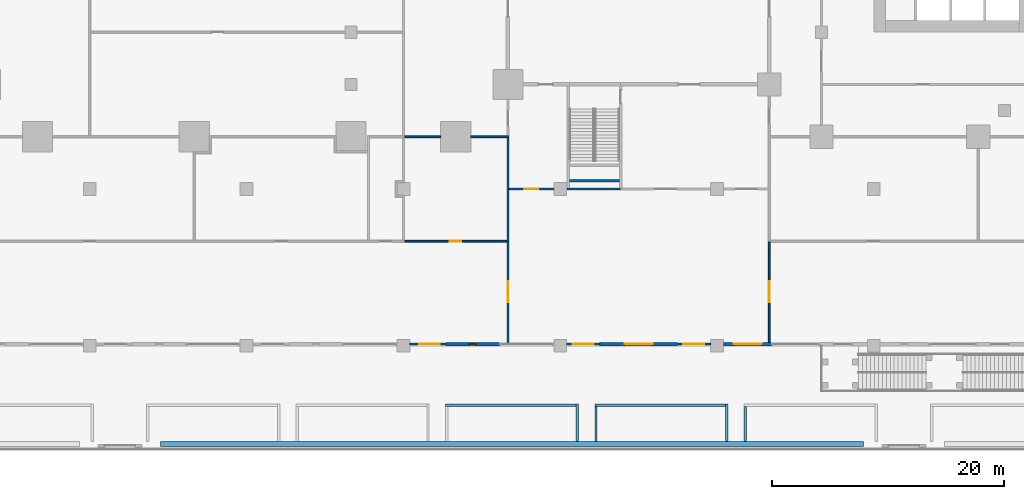
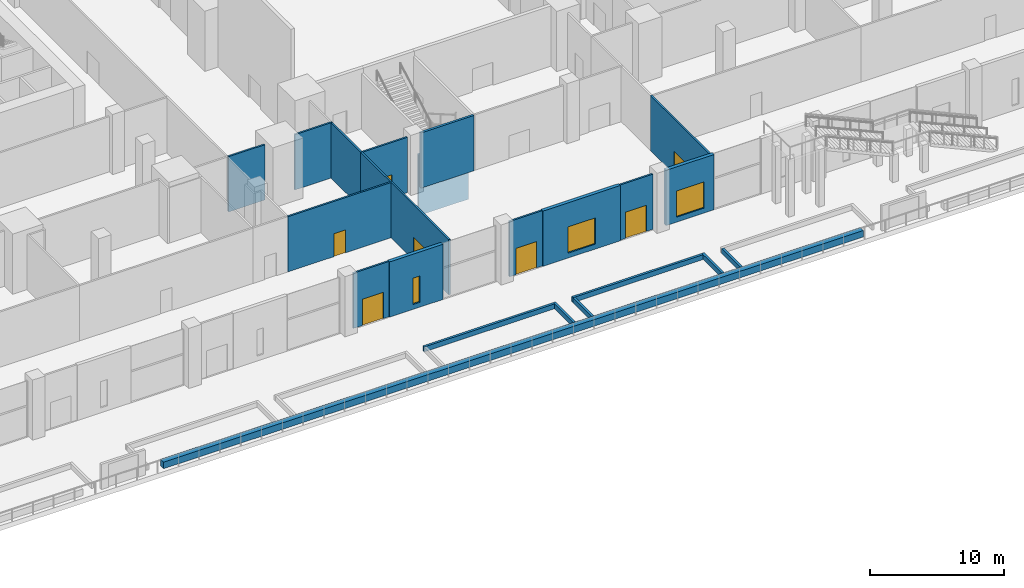
# One storey, part 27 of 47: 23 walls, 7 doors, 3 windows, 10 openings.
"""IFC4 building model written with IfcOpenShell, lengths in metres."""

from ifc_helpers import new_model, si_unit, direction, frame, frame_2d, origin, place, context, subcontext, project, spatial, rectangle, extrude, material, layer, layer_set, type_object, element, fill, save


model = new_model("IFC4")

# Units and contexts
model_context = context("Model", 3, precision=1e-05, world=origin(), true_north=direction((0.0, 1.0)))
body_context = subcontext(model_context, "Body", "Model", "MODEL_VIEW")
ifc_project = project(units=[si_unit("LENGTHUNIT", "METRE"), si_unit("AREAUNIT", "SQUARE_METRE"), si_unit("VOLUMEUNIT", "CUBIC_METRE"), si_unit("PLANEANGLEUNIT", "RADIAN"), si_unit("MASSUNIT", "GRAM", prefix="KILO")], contexts=[model_context])

# Site, building, storey
site_placement = place(None, origin())
site = spatial("IfcSite", under=ifc_project, at=site_placement, CompositionType="ELEMENT")
building_placement = place(site_placement, origin())
building = spatial("IfcBuilding", under=site, at=building_placement, Name="Altepetl Exchange Towers", CompositionType="ELEMENT")
storey_placement = place(building_placement, frame((0.0, 0.0, 6.0)))
storey = spatial("IfcBuildingStorey", under=building, at=storey_placement, Name="L01 Retail podium", CompositionType="ELEMENT", Elevation=6.0)

# Wall, opening, door
ifc_material_1 = material(Name="Aluminium composite cladding", Category="aluminium")
ifc_layer_1 = layer(ifc_material_1, 0.14990234375)
ifc_layer_set_1 = layer_set([ifc_layer_1], Name="Aluminium composite cladding")
wall_type_1 = type_object("IfcWallType", Name="Infill wall 150 aluminium panel", PredefinedType="SOLIDWALL", material=ifc_layer_set_1)
wall_1_placement = place(storey_placement, frame((63.550048828125, 9.14990234375, 0.0)))
wall_1 = element("IfcWall", 1, at=wall_1_placement, inside=storey, type_object=wall_type_1, Name="Door bay wall", PredefinedType="SOLIDWALL", context=body_context, shape_type="SweptSolid", body=[
    extrude(rectangle(XDim=3.099853515625, YDim=0.14990234375, at=frame_2d((1.5498046875, 0.0))), origin(), (0.0, 0.0, 1.0), 5.050048828125),
])
opening_1_placement = place(wall_1_placement, frame((0.800048828125, 0.0, 0.0)))
opening_1 = element("IfcOpeningElement", 2, at=opening_1_placement, cuts=wall_1, Name="Opening L01.E14", PredefinedType="OPENING", context=body_context, shape_type="SweptSolid", body=[
    extrude(rectangle(XDim=1.800048828125, YDim=2.39990234375, at=frame_2d((0.89990234375, 1.199951171875))), frame((0.0, 0.0849609375, 0.0), z_axis=(0.0, -1.0, 0.0), x_axis=(1.0, 0.0, 0.0)), (0.0, 0.0, 1.0), 0.169921875),
])
ifc_material_2 = material(Name="Aluminium 6063-T6 and glass", Category="aluminium")
door_type_1 = type_object("IfcDoorType", Name="Glazed door pair 1800x2400", OperationType="DOUBLE_DOOR_DOUBLE_SWING", PredefinedType="NOTDEFINED", material=ifc_material_2)
door_1_placement = place(opening_1_placement, frame((1.800048828125, 0.0, 0.0), x_axis=(-1.0, 0.0, 0.0)))
door_1 = element("IfcDoor", 3, at=door_1_placement, inside=storey, type_object=door_type_1, Name="Terrace door", OperationType="DOUBLE_DOOR_DOUBLE_SWING", OverallHeight=2.39990234375, OverallWidth=1.800048828125, PredefinedType="NOTDEFINED", context=body_context, shape_type="SweptSolid", body=[
    extrude(rectangle(XDim=1.800048828125, YDim=2.39990234375, at=frame_2d((0.89990234375, 1.199951171875))), frame((0.0, 0.02490234375, 0.0), z_axis=(0.0, -1.0, 0.0), x_axis=(1.0, 0.0, 0.0)), (0.0, 0.0, 1.0), 0.050048828125),
])
fill(opening_1, door_1)

wall_2_placement = place(storey_placement, frame((77.050048828125, 9.14990234375, 0.0)))
wall_2 = element("IfcWall", 4, at=wall_2_placement, inside=storey, type_object=wall_type_1, Name="Door bay wall", PredefinedType="SOLIDWALL", context=body_context, shape_type="SweptSolid", body=[
    extrude(rectangle(XDim=2.849853515625, YDim=0.14990234375, at=frame_2d((1.4248046875, 0.0))), origin(), (0.0, 0.0, 1.0), 5.050048828125),
])
opening_2_placement = place(wall_2_placement, frame((0.550048828125, 0.0, 0.0)))
opening_2 = element("IfcOpeningElement", 5, at=opening_2_placement, cuts=wall_2, Name="Opening L01.E01", PredefinedType="OPENING", context=body_context, shape_type="SweptSolid", body=[
    extrude(rectangle(XDim=1.800048828125, YDim=2.39990234375, at=frame_2d((0.89990234375, 1.199951171875))), frame((0.0, 0.0849609375, 0.0), z_axis=(0.0, -1.0, 0.0), x_axis=(1.0, 0.0, 0.0)), (0.0, 0.0, 1.0), 0.169921875),
])
door_2_placement = place(opening_2_placement, frame((1.800048828125, 0.0, 0.0), x_axis=(-1.0, 0.0, 0.0)))
door_2 = element("IfcDoor", 6, at=door_2_placement, inside=storey, type_object=door_type_1, Name="Terrace door", OperationType="DOUBLE_DOOR_DOUBLE_SWING", OverallHeight=2.39990234375, OverallWidth=1.800048828125, PredefinedType="NOTDEFINED", context=body_context, shape_type="SweptSolid", body=[
    extrude(rectangle(XDim=1.800048828125, YDim=2.39990234375, at=frame_2d((0.89990234375, 1.199951171875))), frame((0.0, 0.02490234375, 0.0), z_axis=(0.0, -1.0, 0.0), x_axis=(1.0, 0.0, 0.0)), (0.0, 0.0, 1.0), 0.050048828125),
])
fill(opening_2, door_2)

wall_3_placement = place(storey_placement, frame((86.60009765625, 9.14990234375, 0.0)))
wall_3 = element("IfcWall", 7, at=wall_3_placement, inside=storey, type_object=wall_type_1, Name="Door bay wall", PredefinedType="SOLIDWALL", context=body_context, shape_type="SweptSolid", body=[
    extrude(rectangle(XDim=2.849853515625, YDim=0.14990234375, at=frame_2d((1.4248046875, 0.0))), origin(), (0.0, 0.0, 1.0), 5.050048828125),
])
opening_3_placement = place(wall_3_placement, frame((0.5, 0.0, 0.0)))
opening_3 = element("IfcOpeningElement", 8, at=opening_3_placement, cuts=wall_3, Name="Opening L01.E02", PredefinedType="OPENING", context=body_context, shape_type="SweptSolid", body=[
    extrude(rectangle(XDim=1.800048828125, YDim=2.39990234375, at=frame_2d((0.89990234375, 1.199951171875))), frame((0.0, 0.0849609375, 0.0), z_axis=(0.0, -1.0, 0.0), x_axis=(1.0, 0.0, 0.0)), (0.0, 0.0, 1.0), 0.169921875),
])
door_3_placement = place(opening_3_placement, frame((1.800048828125, 0.0, 0.0), x_axis=(-1.0, 0.0, 0.0)))
door_3 = element("IfcDoor", 9, at=door_3_placement, inside=storey, type_object=door_type_1, Name="Terrace door", OperationType="DOUBLE_DOOR_DOUBLE_SWING", OverallHeight=2.39990234375, OverallWidth=1.800048828125, PredefinedType="NOTDEFINED", context=body_context, shape_type="SweptSolid", body=[
    extrude(rectangle(XDim=1.800048828125, YDim=2.39990234375, at=frame_2d((0.89990234375, 1.199951171875))), frame((0.0, 0.02490234375, 0.0), z_axis=(0.0, -1.0, 0.0), x_axis=(1.0, 0.0, 0.0)), (0.0, 0.0, 1.0), 0.050048828125),
])
fill(opening_3, door_3)

# Walls
ifc_material_3 = material(Name="Reinforced concrete C35/45", Category="concrete")
ifc_layer_2 = layer(ifc_material_3, 0.199951171875)
ifc_layer_set_2 = layer_set([ifc_layer_2], Name="Reinforced concrete C35/45")
wall_type_2 = type_object("IfcWallType", Name="Landing support wall 200", PredefinedType="SOLIDWALL", material=ifc_layer_set_2)
wall_4_placement = place(storey_placement, frame((81.60009765625, 23.199951171875, -3.0), z_axis=(0.0, 0.0, 1.0), x_axis=(-1.0, 0.0, 0.0)))
element("IfcWall", 10, at=wall_4_placement, inside=storey, type_object=wall_type_2, Name="wall:P:L01:PX1sup1", PredefinedType="SOLIDWALL", context=body_context, shape_type="SweptSolid", body=[
    extrude(rectangle(XDim=4.300048828125, YDim=0.199951171875, at=frame_2d((2.14990234375, 0.0))), origin(), (0.0, 0.0, 1.0), 5.550048828125),
])
ifc_material_4 = material(Name="Concrete C30/37", Category="concrete")
ifc_layer_3 = layer(ifc_material_4, 0.449951171875)
ifc_layer_set_3 = layer_set([ifc_layer_3], Name="Concrete C30/37")
wall_type_3 = type_object("IfcWallType", Name="Planter wall 450 concrete", PredefinedType="SOLIDWALL", material=ifc_layer_set_3)
wall_5_placement = place(storey_placement, frame((42.092529296875, 0.550048828125, 0.0)))
element("IfcWall", 11, at=wall_5_placement, inside=storey, type_object=wall_type_3, Name="Planter bed wall", PredefinedType="SOLIDWALL", context=body_context, shape_type="SweptSolid", body=[
    extrude(rectangle(XDim=60.514892578125, YDim=0.449951171875, at=frame_2d((30.25732421875, 0.0))), origin(), (0.0, 0.0, 1.0), 0.60009765625),
])
ifc_layer_4 = layer(ifc_material_3, 0.199951171875)
ifc_layer_set_4 = layer_set([ifc_layer_4], Name="Reinforced concrete C35/45")
wall_type_4 = type_object("IfcWallType", Name="Planting bed curb 200", PredefinedType="SOLIDWALL", material=ifc_layer_set_4)
wall_6_placement = place(storey_placement, frame((77.97998046875, 0.77490234375, 0.0), z_axis=(0.0, 0.0, 1.0), x_axis=(0.0, 1.0, 0.0)))
element("IfcWall", 12, at=wall_6_placement, inside=storey, type_object=wall_type_4, Name="wall:P:L01:CB06e", PredefinedType="SOLIDWALL", context=body_context, shape_type="SweptSolid", body=[
    extrude(rectangle(XDim=3.2001953125, YDim=0.199951171875, at=frame_2d((1.60009765625, 0.0))), origin(), (0.0, 0.0, 1.0), 0.449951171875),
])
wall_7_placement = place(storey_placement, frame((66.6201171875, 3.875, 0.0)))
element("IfcWall", 13, at=wall_7_placement, inside=storey, type_object=wall_type_4, Name="wall:P:L01:CB06n", PredefinedType="SOLIDWALL", context=body_context, shape_type="SweptSolid", body=[
    extrude(rectangle(XDim=11.259765625, YDim=0.199951171875, at=frame_2d((5.6298828125, 0.0))), origin(), (0.0, 0.0, 1.0), 0.449951171875),
])
wall_8_placement = place(storey_placement, frame((90.840087890625, 0.77490234375, 0.0), z_axis=(0.0, 0.0, 1.0), x_axis=(0.0, 1.0, 0.0)))
element("IfcWall", 14, at=wall_8_placement, inside=storey, type_object=wall_type_4, Name="wall:P:L01:CB07e", PredefinedType="SOLIDWALL", context=body_context, shape_type="SweptSolid", body=[
    extrude(rectangle(XDim=3.2001953125, YDim=0.199951171875, at=frame_2d((1.60009765625, 0.0))), origin(), (0.0, 0.0, 1.0), 0.449951171875),
])
wall_9_placement = place(storey_placement, frame((79.47998046875, 3.875, 0.0)))
element("IfcWall", 15, at=wall_9_placement, inside=storey, type_object=wall_type_4, Name="wall:P:L01:CB07n", PredefinedType="SOLIDWALL", context=body_context, shape_type="SweptSolid", body=[
    extrude(rectangle(XDim=11.260009765625, YDim=0.199951171875, at=frame_2d((5.6298828125, 0.0))), origin(), (0.0, 0.0, 1.0), 0.449951171875),
])
for number, where, z_axis, x_axis, name in (
    (16, (79.580078125, 0.77490234375, 0.0), (0.0, 0.0, 1.0), (0.0, 1.0, 0.0), "wall:P:L01:CB07w"),
    (17, (92.43994140625, 0.77490234375, 0.0), (0.0, 0.0, 1.0), (0.0, 1.0, 0.0), "wall:P:L01:CB08w"),
):
    element("IfcWall", number, at=place(storey_placement, frame(where, z_axis=z_axis, x_axis=x_axis)), inside=storey, type_object=wall_type_4, Name=name, PredefinedType="SOLIDWALL", context=body_context, shape_type="SweptSolid", body=[
        extrude(rectangle(XDim=3.0, YDim=0.199951171875, at=frame_2d((1.5, 0.0))), origin(), (0.0, 0.0, 1.0), 0.449951171875),
    ])

# Wall, opening, door
ifc_material_5 = material(Name="Gypsum board on steel studs", Category="steel")
ifc_layer_5 = layer(ifc_material_5, 0.14990234375)
ifc_layer_set_5 = layer_set([ifc_layer_5], Name="Gypsum board on steel studs")
wall_type_5 = type_object("IfcWallType", Name="Podium partition 150", PredefinedType="PARTITIONING", material=ifc_layer_set_5)
wall_10_placement = place(storey_placement, frame((72.0, 9.300048828125, 0.0), z_axis=(0.0, 0.0, 1.0), x_axis=(0.0, 1.0, 0.0)))
wall_10 = element("IfcWall", 18, at=wall_10_placement, inside=storey, type_object=wall_type_5, Name="wall:P:L01:P003", PredefinedType="PARTITIONING", context=body_context, shape_type="SweptSolid", body=[
    extrude(rectangle(XDim=8.77490234375, YDim=0.14990234375, at=frame_2d((4.387451171875, 0.0))), origin(), (0.0, 0.0, 1.0), 5.050048828125),
])
opening_4_placement = place(wall_10_placement, frame((3.449951171875, 0.0, 0.0)))
opening_4 = element("IfcOpeningElement", 19, at=opening_4_placement, cuts=wall_10, Name="Opening L01.P029", PredefinedType="OPENING", context=body_context, shape_type="SweptSolid", body=[
    extrude(rectangle(XDim=1.800048828125, YDim=2.10009765625, at=frame_2d((0.89990234375, 1.050048828125))), frame((0.0, 0.0849609375, 0.0), z_axis=(0.0, -1.0, 0.0), x_axis=(1.0, 0.0, 0.0)), (0.0, 0.0, 1.0), 0.169921875),
])
ifc_material_6 = material(Name="Glazed aluminium and steel", Category="steel")
door_type_2 = type_object("IfcDoorType", Name="Podium fire door 1800 x 2100 double leaf", OperationType="DOUBLE_DOOR_SINGLE_SWING", PredefinedType="DOOR", material=ifc_material_6)
door_4_placement = place(opening_4_placement, frame((1.800048828125, 0.0, 0.0), x_axis=(-1.0, 0.0, 0.0)))
door_4 = element("IfcDoor", 20, at=door_4_placement, inside=storey, type_object=door_type_2, Name="door:P:L01:029", OperationType="DOUBLE_DOOR_SINGLE_SWING", OverallHeight=2.10009765625, OverallWidth=1.800048828125, PredefinedType="DOOR", context=body_context, shape_type="SweptSolid", body=[
    extrude(rectangle(XDim=1.800048828125, YDim=2.10009765625, at=frame_2d((0.89990234375, 1.050048828125))), frame((0.0, 0.02490234375, 0.0), z_axis=(0.0, -1.0, 0.0), x_axis=(1.0, 0.0, 0.0)), (0.0, 0.0, 1.0), 0.050048828125),
])
fill(opening_4, door_4)

wall_11_placement = place(storey_placement, frame((94.5, 9.300048828125, 0.0), z_axis=(0.0, 0.0, 1.0), x_axis=(0.0, 1.0, 0.0)))
wall_11 = element("IfcWall", 21, at=wall_11_placement, inside=storey, type_object=wall_type_5, Name="wall:P:L01:P004", PredefinedType="PARTITIONING", context=body_context, shape_type="SweptSolid", body=[
    extrude(rectangle(XDim=8.77490234375, YDim=0.14990234375, at=frame_2d((4.387451171875, 0.0))), origin(), (0.0, 0.0, 1.0), 5.050048828125),
])
opening_5_placement = place(wall_11_placement, frame((3.449951171875, 0.0, 0.0)))
opening_5 = element("IfcOpeningElement", 22, at=opening_5_placement, cuts=wall_11, Name="Opening L01.P030", PredefinedType="OPENING", context=body_context, shape_type="SweptSolid", body=[
    extrude(rectangle(XDim=1.800048828125, YDim=2.10009765625, at=frame_2d((0.89990234375, 1.050048828125))), frame((0.0, 0.0849609375, 0.0), z_axis=(0.0, -1.0, 0.0), x_axis=(1.0, 0.0, 0.0)), (0.0, 0.0, 1.0), 0.169921875),
])
door_5_placement = place(opening_5_placement, origin())
door_5 = element("IfcDoor", 23, at=door_5_placement, inside=storey, type_object=door_type_2, Name="door:P:L01:030", OperationType="DOUBLE_DOOR_SINGLE_SWING", OverallHeight=2.10009765625, OverallWidth=1.800048828125, PredefinedType="DOOR", context=body_context, shape_type="SweptSolid", body=[
    extrude(rectangle(XDim=1.800048828125, YDim=2.10009765625, at=frame_2d((0.89990234375, 1.050048828125))), frame((0.0, 0.02490234375, 0.0), z_axis=(0.0, -1.0, 0.0), x_axis=(1.0, 0.0, 0.0)), (0.0, 0.0, 1.0), 0.050048828125),
])
fill(opening_5, door_5)

# Wall
wall_12_placement = place(storey_placement, frame((72.0, 18.0, 0.0), z_axis=(0.0, 0.0, 1.0), x_axis=(0.0, 1.0, 0.0)))
element("IfcWall", 24, at=wall_12_placement, inside=storey, type_object=wall_type_5, Name="wall:P:L01:P005", PredefinedType="PARTITIONING", context=body_context, shape_type="SweptSolid", body=[
    extrude(rectangle(XDim=4.574951171875, YDim=0.14990234375, at=frame_2d((2.28759765625, 0.0))), origin(), (0.0, 0.0, 1.0), 5.050048828125),
])

# Wall, opening, door
wall_13_placement = place(storey_placement, frame((72.074951171875, 22.5, 0.0)))
wall_13 = element("IfcWall", 25, at=wall_13_placement, inside=storey, type_object=wall_type_5, Name="wall:P:L01:P007", PredefinedType="PARTITIONING", context=body_context, shape_type="SweptSolid", body=[
    extrude(rectangle(XDim=3.880126953125, YDim=0.14990234375, at=frame_2d((1.93994140625, 0.0))), origin(), (0.0, 0.0, 1.0), 5.050048828125),
])
opening_6_placement = place(wall_13_placement, frame((1.324951171875, 0.0, 0.0)))
opening_6 = element("IfcOpeningElement", 26, at=opening_6_placement, cuts=wall_13, Name="Opening L01.P031", PredefinedType="OPENING", context=body_context, shape_type="SweptSolid", body=[
    extrude(rectangle(XDim=1.199951171875, YDim=2.10009765625, at=frame_2d((0.60009765625, 1.050048828125))), frame((0.0, 0.0849609375, 0.0), z_axis=(0.0, -1.0, 0.0), x_axis=(1.0, 0.0, 0.0)), (0.0, 0.0, 1.0), 0.169921875),
])
ifc_material_7 = material(Name="Steel fire door", Category="steel")
door_type_3 = type_object("IfcDoorType", Name="Podium fire door 1200 x 2100 double leaf", OperationType="DOUBLE_DOOR_SINGLE_SWING", PredefinedType="DOOR", material=ifc_material_7)
door_6_placement = place(opening_6_placement, origin())
door_6 = element("IfcDoor", 27, at=door_6_placement, inside=storey, type_object=door_type_3, Name="door:P:L01:031", OperationType="DOUBLE_DOOR_SINGLE_SWING", OverallHeight=2.10009765625, OverallWidth=1.199951171875, PredefinedType="DOOR", context=body_context, shape_type="SweptSolid", body=[
    extrude(rectangle(XDim=1.199951171875, YDim=2.10009765625, at=frame_2d((0.60009765625, 1.050048828125))), frame((0.0, 0.02490234375, 0.0), z_axis=(0.0, -1.0, 0.0), x_axis=(1.0, 0.0, 0.0)), (0.0, 0.0, 1.0), 0.050048828125),
])
fill(opening_6, door_6)

wall_14_placement = place(storey_placement, frame((63.0, 18.0, 0.0)))
wall_14 = element("IfcWall", 28, at=wall_14_placement, inside=storey, type_object=wall_type_5, Name="wall:P:L01:P049", PredefinedType="PARTITIONING", context=body_context, shape_type="SweptSolid", body=[
    extrude(rectangle(XDim=8.925048828125, YDim=0.14990234375, at=frame_2d((4.46240234375, 0.0))), origin(), (0.0, 0.0, 1.0), 5.050048828125),
])
opening_7_placement = place(wall_14_placement, frame((4.0, 0.0, 0.0)))
opening_7 = element("IfcOpeningElement", 29, at=opening_7_placement, cuts=wall_14, Name="Opening L01.P008", PredefinedType="OPENING", context=body_context, shape_type="SweptSolid", body=[
    extrude(rectangle(XDim=1.0, YDim=2.10009765625, at=frame_2d((0.5, 1.050048828125))), frame((0.0, 0.0849609375, 0.0), z_axis=(0.0, -1.0, 0.0), x_axis=(1.0, 0.0, 0.0)), (0.0, 0.0, 1.0), 0.169921875),
])
ifc_material_8 = material(Name="Steel and timber fire door", Category="steel")
door_type_4 = type_object("IfcDoorType", Name="Podium fire door 1000 x 2100 single leaf", OperationType="SINGLE_SWING_LEFT", PredefinedType="DOOR", material=ifc_material_8)
door_7_placement = place(opening_7_placement, origin())
door_7 = element("IfcDoor", 30, at=door_7_placement, inside=storey, type_object=door_type_4, Name="door:P:L01:008", OperationType="SINGLE_SWING_RIGHT", OverallHeight=2.10009765625, OverallWidth=1.0, PredefinedType="DOOR", context=body_context, shape_type="SweptSolid", body=[
    extrude(rectangle(XDim=1.0, YDim=2.10009765625, at=frame_2d((0.5, 1.050048828125))), frame((0.0, 0.02490234375, 0.0), z_axis=(0.0, -1.0, 0.0), x_axis=(1.0, 0.0, 0.0)), (0.0, 0.0, 1.0), 0.050048828125),
])
fill(opening_7, door_7)

# Walls
wall_15_placement = place(storey_placement, frame((63.074951171875, 27.0, 0.0)))
element("IfcWall", 31, at=wall_15_placement, inside=storey, type_object=wall_type_5, Name="wall:P:L01:P097", PredefinedType="PARTITIONING", context=body_context, shape_type="SweptSolid", body=[
    extrude(rectangle(XDim=3.130126953125, YDim=0.14990234375, at=frame_2d((1.56494140625, 0.0))), origin(), (0.0, 0.0, 1.0), 5.050048828125),
])
wall_16_placement = place(storey_placement, frame((68.794921875, 27.0, 0.0)))
element("IfcWall", 32, at=wall_16_placement, inside=storey, type_object=wall_type_5, Name="wall:P:L01:P098", PredefinedType="PARTITIONING", context=body_context, shape_type="SweptSolid", body=[
    extrude(rectangle(XDim=3.280029296875, YDim=0.14990234375, at=frame_2d((1.64013671875, 0.0))), origin(), (0.0, 0.0, 1.0), 5.050048828125),
])
wall_17_placement = place(storey_placement, frame((72.0, 22.5, 0.0), z_axis=(0.0, 0.0, 1.0), x_axis=(0.0, 1.0, 0.0)))
element("IfcWall", 33, at=wall_17_placement, inside=storey, type_object=wall_type_5, Name="wall:P:L01:P099", PredefinedType="PARTITIONING", context=body_context, shape_type="SweptSolid", body=[
    extrude(rectangle(XDim=4.425048828125, YDim=0.14990234375, at=frame_2d((2.21240234375, 0.0))), origin(), (0.0, 0.0, 1.0), 5.050048828125),
])
ifc_layer_6 = layer(ifc_material_3, 0.199951171875)
ifc_layer_set_6 = layer_set([ifc_layer_6], Name="Reinforced concrete C35/45")
wall_type_6 = type_object("IfcWallType", Name="Stair enclosure wall 200", PredefinedType="SOLIDWALL", material=ifc_layer_set_6)
wall_18_placement = place(storey_placement, frame((77.10009765625, 22.5, 0.0)))
element("IfcWall", 34, at=wall_18_placement, inside=storey, type_object=wall_type_6, Name="wall:P:L01:P008", PredefinedType="SOLIDWALL", context=body_context, shape_type="SweptSolid", body=[
    extrude(rectangle(XDim=4.599853515625, YDim=0.199951171875, at=frame_2d((2.2998046875, 0.0))), origin(), (0.0, 0.0, 1.0), 5.050048828125),
])

# Wall, opening, window
ifc_material_9 = material(Name="Cantera limestone cladding", Category="masonry")
ifc_layer_7 = layer(ifc_material_9, 0.300048828125)
ifc_layer_set_7 = layer_set([ifc_layer_7], Name="Cantera limestone cladding")
wall_type_7 = type_object("IfcWallType", Name="Stone wall panel 300", PredefinedType="ELEMENTEDWALL", material=ifc_layer_set_7)
wall_19_placement = place(storey_placement, frame((66.64990234375, 9.14990234375, 0.0)))
wall_19 = element("IfcWall", 35, at=wall_19_placement, inside=storey, type_object=wall_type_7, Name="Stone wall panel", PredefinedType="ELEMENTEDWALL", context=body_context, shape_type="SweptSolid", body=[
    extrude(rectangle(XDim=4.625, YDim=0.300048828125, at=frame_2d((2.3125, 0.0))), origin(), (0.0, 0.0, 1.0), 5.050048828125),
])
opening_8_placement = place(wall_19_placement, frame((2.012451171875, 0.0, 0.449951171875)))
opening_8 = element("IfcOpeningElement", 36, at=opening_8_placement, cuts=wall_19, Name="Opening W3", PredefinedType="OPENING", context=body_context, shape_type="SweptSolid", body=[
    extrude(rectangle(XDim=0.60009765625, YDim=2.39990234375, at=frame_2d((0.300048828125, 1.199951171875))), frame((0.0, 0.16015625, 0.0), z_axis=(0.0, -1.0, 0.0), x_axis=(1.0, 0.0, 0.0)), (0.0, 0.0, 1.0), 0.320068359375),
])
window_type_1 = type_object("IfcWindowType", Name="Tall slot window 600x2400", PartitioningType="SINGLE_PANEL", PredefinedType="WINDOW", material=ifc_material_2)
window_1_placement = place(opening_8_placement, origin())
window_1 = element("IfcWindow", 37, at=window_1_placement, inside=storey, type_object=window_type_1, Name="Window", OverallHeight=2.39990234375, OverallWidth=0.60009765625, PartitioningType="SINGLE_PANEL", PredefinedType="WINDOW", context=body_context, shape_type="SweptSolid", body=[
    extrude(rectangle(XDim=0.60009765625, YDim=2.39990234375, at=frame_2d((0.300048828125, 1.199951171875))), frame((0.0, 0.030029296875, 0.0), z_axis=(0.0, -1.0, 0.0), x_axis=(1.0, 0.0, 0.0)), (0.0, 0.0, 1.0), 0.06005859375),
])
fill(opening_8, window_1)

wall_20_placement = place(storey_placement, frame((79.89990234375, 9.14990234375, 0.0)))
wall_20 = element("IfcWall", 38, at=wall_20_placement, inside=storey, type_object=wall_type_7, Name="Stone wall panel", PredefinedType="ELEMENTEDWALL", context=body_context, shape_type="SweptSolid", body=[
    extrude(rectangle(XDim=6.7001953125, YDim=0.300048828125, at=frame_2d((3.35009765625, 0.0))), origin(), (0.0, 0.0, 1.0), 5.050048828125),
])
opening_9_placement = place(wall_20_placement, frame((2.14990234375, 0.0, 0.449951171875)))
opening_9 = element("IfcOpeningElement", 39, at=opening_9_placement, cuts=wall_20, Name="Opening W1", PredefinedType="OPENING", context=body_context, shape_type="SweptSolid", body=[
    extrude(rectangle(XDim=2.39990234375, YDim=2.39990234375, at=frame_2d((1.199951171875, 1.199951171875))), frame((0.0, 0.16015625, 0.0), z_axis=(0.0, -1.0, 0.0), x_axis=(1.0, 0.0, 0.0)), (0.0, 0.0, 1.0), 0.320068359375),
])
window_type_2 = type_object("IfcWindowType", Name="Shopfront window 2400x2400", PartitioningType="SINGLE_PANEL", PredefinedType="WINDOW", material=ifc_material_2)
window_2_placement = place(opening_9_placement, origin())
window_2 = element("IfcWindow", 40, at=window_2_placement, inside=storey, type_object=window_type_2, Name="Window", OverallHeight=2.39990234375, OverallWidth=2.39990234375, PartitioningType="SINGLE_PANEL", PredefinedType="WINDOW", context=body_context, shape_type="SweptSolid", body=[
    extrude(rectangle(XDim=2.39990234375, YDim=2.39990234375, at=frame_2d((1.199951171875, 1.199951171875))), frame((0.0, 0.030029296875, 0.0), z_axis=(0.0, -1.0, 0.0), x_axis=(1.0, 0.0, 0.0)), (0.0, 0.0, 1.0), 0.06005859375),
])
fill(opening_9, window_2)

wall_21_placement = place(storey_placement, frame((90.550048828125, 9.14990234375, 0.0)))
wall_21 = element("IfcWall", 41, at=wall_21_placement, inside=storey, type_object=wall_type_7, Name="Stone wall panel", PredefinedType="ELEMENTEDWALL", context=body_context, shape_type="SweptSolid", body=[
    extrude(rectangle(XDim=4.14990234375, YDim=0.300048828125, at=frame_2d((2.074951171875, 0.0))), origin(), (0.0, 0.0, 1.0), 5.050048828125),
])
opening_10_placement = place(wall_21_placement, frame((0.89990234375, 0.0, 0.449951171875)))
opening_10 = element("IfcOpeningElement", 42, at=opening_10_placement, cuts=wall_21, Name="Opening W1", PredefinedType="OPENING", context=body_context, shape_type="SweptSolid", body=[
    extrude(rectangle(XDim=2.39990234375, YDim=2.39990234375, at=frame_2d((1.199951171875, 1.199951171875))), frame((0.0, 0.16015625, 0.0), z_axis=(0.0, -1.0, 0.0), x_axis=(1.0, 0.0, 0.0)), (0.0, 0.0, 1.0), 0.320068359375),
])
window_3_placement = place(opening_10_placement, origin())
window_3 = element("IfcWindow", 43, at=window_3_placement, inside=storey, type_object=window_type_2, Name="Window", OverallHeight=2.39990234375, OverallWidth=2.39990234375, PartitioningType="SINGLE_PANEL", PredefinedType="WINDOW", context=body_context, shape_type="SweptSolid", body=[
    extrude(rectangle(XDim=2.39990234375, YDim=2.39990234375, at=frame_2d((1.199951171875, 1.199951171875))), frame((0.0, 0.030029296875, 0.0), z_axis=(0.0, -1.0, 0.0), x_axis=(1.0, 0.0, 0.0)), (0.0, 0.0, 1.0), 0.06005859375),
])
fill(opening_10, window_3)

save(model, "model.ifc")
